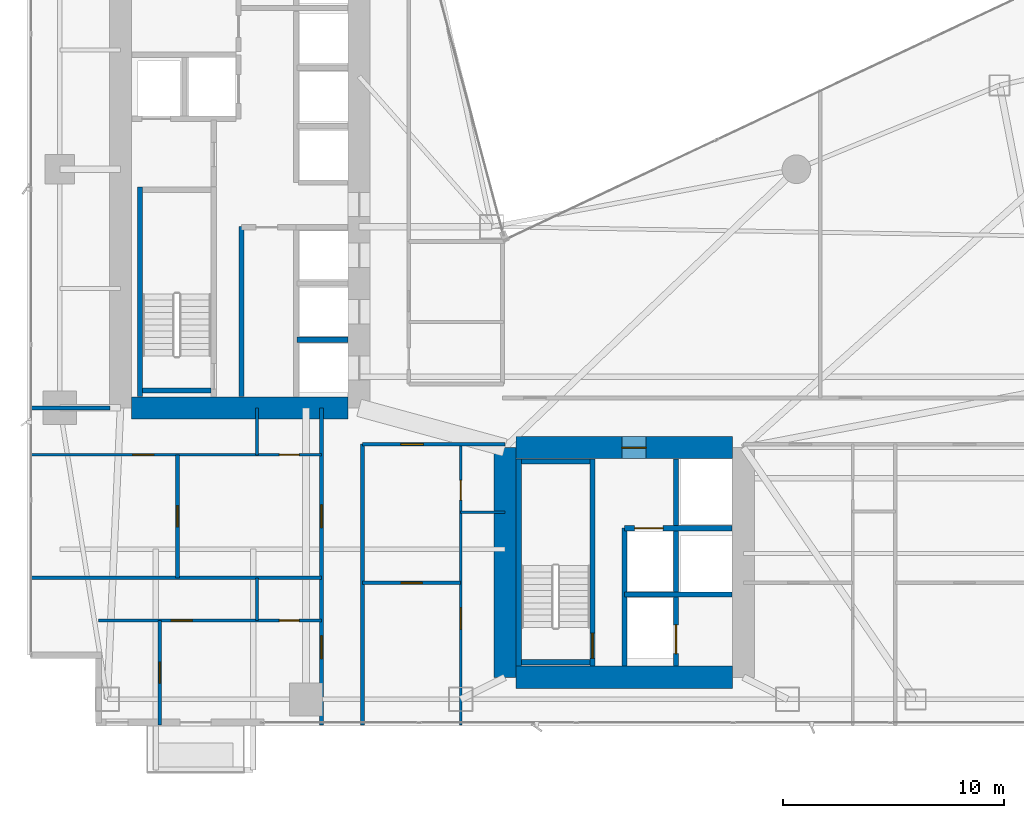
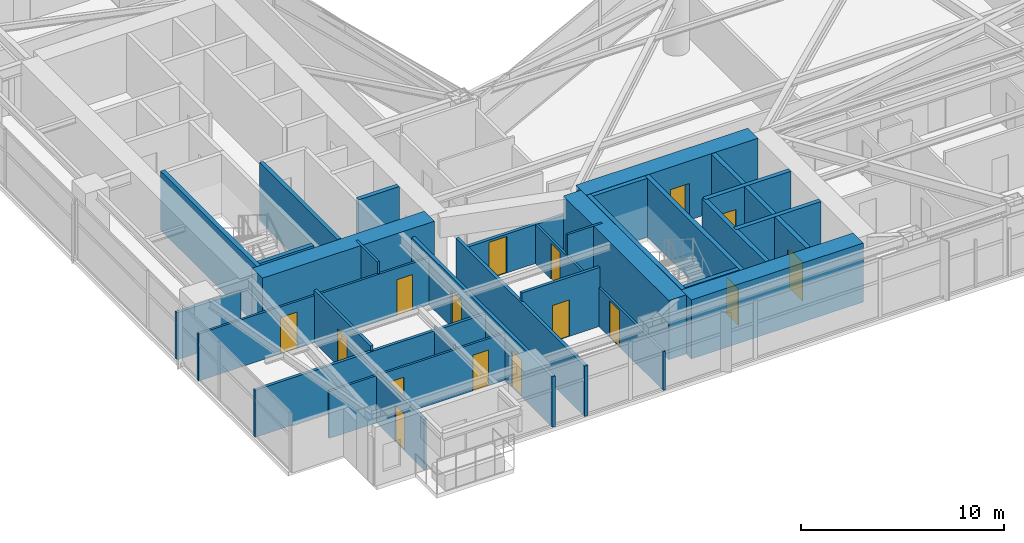
# One storey, part 22 of 30: 30 walls, 16 doors, 16 openings.
"""IFC4 building model written with IfcOpenShell, lengths in metres."""

from ifc_helpers import new_model, si_unit, direction, frame, frame_2d, origin, place, context, subcontext, project, spatial, rectangle, extrude, material, layer, layer_set, type_object, element, fill, save


model = new_model("IFC4")

# Units and contexts
model_context = context("Model", 3, precision=1e-05, world=origin(), true_north=direction((0.0, 1.0)))
body_context = subcontext(model_context, "Body", "Model", "MODEL_VIEW")
ifc_project = project(units=[si_unit("LENGTHUNIT", "METRE"), si_unit("AREAUNIT", "SQUARE_METRE"), si_unit("VOLUMEUNIT", "CUBIC_METRE"), si_unit("PLANEANGLEUNIT", "RADIAN"), si_unit("MASSUNIT", "GRAM", prefix="KILO")], contexts=[model_context])

# Site, building, storey
site_placement = place(None, origin())
site = spatial("IfcSite", under=ifc_project, at=site_placement, CompositionType="ELEMENT")
building_placement = place(site_placement, origin())
building = spatial("IfcBuilding", under=site, at=building_placement, Name="Calvorn Quay Hotel", CompositionType="ELEMENT")
storey_placement = place(building_placement, frame((0.0, 0.0, 30.800048828125)))
storey = spatial("IfcBuildingStorey", under=building, at=storey_placement, Name="L06", CompositionType="ELEMENT", Elevation=30.800048828125)

# Walls
ifc_material_1 = material(Name="Concrete C60", Category="concrete")
ifc_layer_1 = layer(ifc_material_1, 1.0)
ifc_layer_set_1 = layer_set([ifc_layer_1], Name="WL-CORE-1000")
wall_type_1 = type_object("IfcWallType", Name="WL-CORE-1000", PredefinedType="SHEAR", material=ifc_layer_set_1)
wall_1_placement = place(storey_placement, frame((4.699951171875, 16.800048828125, 0.0), z_axis=(0.0, 0.0, 1.0), x_axis=(1.0, 0.0, 0.0)))
element("IfcWall", 1, at=wall_1_placement, inside=storey, type_object=wall_type_1, Name="West Core Shear Wall S (L06)", PredefinedType="SHEAR", context=body_context, shape_type="SweptSolid", body=[
    extrude(rectangle(XDim=9.800048828125, YDim=1.0, at=frame_2d((4.89990234375, 0.0))), origin(), (0.0, 0.0, 1.0), 3.56005859375),
])
wall_2_placement = place(storey_placement, frame((21.60009765625, 4.60009765625, 0.0), z_axis=(0.0, 0.0, 1.0), x_axis=(0.0, 1.0, 0.0)))
element("IfcWall", 2, at=wall_2_placement, inside=storey, type_object=wall_type_1, Name="East Core Shear Wall W (L06)", PredefinedType="SHEAR", context=body_context, shape_type="SweptSolid", body=[
    extrude(rectangle(XDim=10.39990234375, YDim=1.0, at=frame_2d((5.199951171875, 0.0))), origin(), (0.0, 0.0, 1.0), 3.56005859375),
])

# Wall, opening, door
wall_3_placement = place(storey_placement, frame((22.10009765625, 15.0, 0.0), z_axis=(0.0, 0.0, 1.0), x_axis=(1.0, 0.0, 0.0)))
wall_3 = element("IfcWall", 3, at=wall_3_placement, inside=storey, type_object=wall_type_1, Name="East Core Shear Wall N (L06)", PredefinedType="SHEAR", context=body_context, shape_type="SweptSolid", body=[
    extrude(rectangle(XDim=9.7998046875, YDim=1.0, at=frame_2d((4.89990234375, 0.0))), origin(), (0.0, 0.0, 1.0), 3.56005859375),
])
opening_1_placement = place(wall_3_placement, frame((4.800048828125, 0.0, 0.0)))
opening_1 = element("IfcOpeningElement", 4, at=opening_1_placement, cuts=wall_3, Name="Opening D-L06-FLE", PredefinedType="OPENING", context=body_context, shape_type="SweptSolid", body=[
    extrude(rectangle(XDim=1.10009765625, YDim=2.199951171875, at=frame_2d((0.550048828125, 1.10009765625))), frame((0.0, 0.510009765625, 0.0), z_axis=(0.0, -1.0, 0.0), x_axis=(1.0, 0.0, 0.0)), (0.0, 0.0, 1.0), 1.02001953125),
])
ifc_material_2 = material(Name="Smoke-Sealed Steel Class A Fire Door", Category="steel")
door_type_1 = type_object("IfcDoorType", Name="DR-FFLOBBY-1100", OperationType="NOTDEFINED", PredefinedType="DOOR", material=ifc_material_2)
door_1_placement = place(opening_1_placement, origin())
door_1 = element("IfcDoor", 5, at=door_1_placement, inside=storey, type_object=door_type_1, Name="East Firefighting Lobby Fire Door (L06)", OperationType="SINGLE_SWING_RIGHT", OverallHeight=2.199951171875, OverallWidth=1.10009765625, PredefinedType="DOOR", context=body_context, shape_type="SweptSolid", body=[
    extrude(rectangle(XDim=1.10009765625, YDim=2.199951171875, at=frame_2d((0.550048828125, 1.10009765625))), frame((0.0, 0.02490234375, 0.0), z_axis=(0.0, -1.0, 0.0), x_axis=(1.0, 0.0, 0.0)), (0.0, 0.0, 1.0), 0.050048828125),
])
fill(opening_1, door_1)

# Walls
wall_4_placement = place(storey_placement, frame((22.10009765625, 4.60009765625, 0.0), z_axis=(0.0, 0.0, 1.0), x_axis=(1.0, 0.0, 0.0)))
element("IfcWall", 6, at=wall_4_placement, inside=storey, type_object=wall_type_1, Name="East Core Shear Wall S (L06)", PredefinedType="SHEAR", context=body_context, shape_type="SweptSolid", body=[
    extrude(rectangle(XDim=9.7998046875, YDim=1.0, at=frame_2d((4.89990234375, 0.0))), origin(), (0.0, 0.0, 1.0), 3.56005859375),
])
ifc_material_3 = material(Name="Acoustic Fireboard Steel-Stud Partition", Category="steel")
ifc_layer_2 = layer(ifc_material_3, 0.179931640625)
ifc_layer_set_2 = layer_set([ifc_layer_2], Name="WL-CORR-FIRE-180")
wall_type_2 = type_object("IfcWallType", Name="WL-CORR-FIRE-180", PredefinedType="PARTITIONING", material=ifc_layer_set_2)
wall_5_placement = place(storey_placement, frame((0.080078125, 16.800048828125, 0.0), z_axis=(0.0, 0.0, 1.0), x_axis=(1.0, 0.0, 0.0)))
element("IfcWall", 7, at=wall_5_placement, inside=storey, type_object=wall_type_2, Name="Partition Wall L06-WL-WBAY-S-WALL", PredefinedType="PARTITIONING", context=body_context, shape_type="SweptSolid", body=[
    extrude(rectangle(XDim=3.64990234375, YDim=0.179931640625, at=frame_2d((1.824951171875, 0.0))), origin(), (0.0, 0.0, 1.0), 2.83984375),
])

# Wall, openings, doors
wall_6_placement = place(storey_placement, frame((13.300048828125, 2.43994140625, 0.0), z_axis=(0.0, 0.0, 1.0), x_axis=(0.0, 1.0, 0.0)))
wall_6 = element("IfcWall", 8, at=wall_6_placement, inside=storey, type_object=wall_type_2, Name="Partition Wall L06-WL-CORR-SW-LEG-W", PredefinedType="PARTITIONING", context=body_context, shape_type="SweptSolid", body=[
    extrude(rectangle(XDim=14.360107421875, YDim=0.179931640625, at=frame_2d((7.18017578125, 0.0))), origin(), (0.0, 0.0, 1.0), 3.0400390625),
])
opening_2_placement = place(wall_6_placement, frame((3.010009765625, 0.0, 0.0)))
opening_2 = element("IfcOpeningElement", 9, at=opening_2_placement, cuts=wall_6, Name="Opening D-L06-U01", PredefinedType="OPENING", context=body_context, shape_type="SweptSolid", body=[
    extrude(rectangle(XDim=1.02001953125, YDim=2.199951171875, at=frame_2d((0.510009765625, 1.10009765625))), frame((0.0, 0.099853515625, 0.0), z_axis=(0.0, -1.0, 0.0), x_axis=(1.0, 0.0, 0.0)), (0.0, 0.0, 1.0), 0.199951171875),
])
opening_3_placement = place(wall_6_placement, frame((8.93994140625, 0.0, 0.0)))
opening_3 = element("IfcOpeningElement", 10, at=opening_3_placement, cuts=wall_6, Name="Opening D-L06-U02", PredefinedType="OPENING", context=body_context, shape_type="SweptSolid", body=[
    extrude(rectangle(XDim=1.02001953125, YDim=2.199951171875, at=frame_2d((0.510009765625, 1.10009765625))), frame((0.0, 0.099853515625, 0.0), z_axis=(0.0, -1.0, 0.0), x_axis=(1.0, 0.0, 0.0)), (0.0, 0.0, 1.0), 0.199951171875),
])
ifc_material_4 = material(Name="Solid-Core Walnut Veneer Hotel Fire Door")
door_type_2 = type_object("IfcDoorType", Name="DR-GUEST-ENTRY-1020", OperationType="NOTDEFINED", PredefinedType="DOOR", material=ifc_material_4)
door_2_placement = place(opening_2_placement, origin())
door_2 = element("IfcDoor", 11, at=door_2_placement, inside=storey, type_object=door_type_2, Name="South-West Unit Door U01 (L06)", OperationType="SINGLE_SWING_LEFT", OverallHeight=2.199951171875, OverallWidth=1.02001953125, PredefinedType="DOOR", context=body_context, shape_type="SweptSolid", body=[
    extrude(rectangle(XDim=1.02001953125, YDim=2.199951171875, at=frame_2d((0.510009765625, 1.10009765625))), frame((0.0, 0.02490234375, 0.0), z_axis=(0.0, -1.0, 0.0), x_axis=(1.0, 0.0, 0.0)), (0.0, 0.0, 1.0), 0.050048828125),
])
fill(opening_2, door_2)
door_3_placement = place(opening_3_placement, origin())
door_3 = element("IfcDoor", 12, at=door_3_placement, inside=storey, type_object=door_type_2, Name="South-West Unit Door U02 (L06)", OperationType="SINGLE_SWING_RIGHT", OverallHeight=2.199951171875, OverallWidth=1.02001953125, PredefinedType="DOOR", context=body_context, shape_type="SweptSolid", body=[
    extrude(rectangle(XDim=1.02001953125, YDim=2.199951171875, at=frame_2d((0.510009765625, 1.10009765625))), frame((0.0, 0.02490234375, 0.0), z_axis=(0.0, -1.0, 0.0), x_axis=(1.0, 0.0, 0.0)), (0.0, 0.0, 1.0), 0.050048828125),
])
fill(opening_3, door_3)

# Wall
wall_7_placement = place(storey_placement, frame((15.14990234375, 2.43994140625, 0.0), z_axis=(0.0, 0.0, 1.0), x_axis=(0.0, 1.0, 0.0)))
element("IfcWall", 13, at=wall_7_placement, inside=storey, type_object=wall_type_2, Name="Partition Wall L06-WL-CORR-SW-W", PredefinedType="PARTITIONING", context=body_context, shape_type="SweptSolid", body=[
    extrude(rectangle(XDim=12.7099609375, YDim=0.179931640625, at=frame_2d((6.35498046875, 0.0))), origin(), (0.0, 0.0, 1.0), 3.0400390625),
])

# Wall, opening, door
wall_8_placement = place(storey_placement, frame((15.14990234375, 15.14990234375, 0.0), z_axis=(0.0, 0.0, 1.0), x_axis=(1.0, 0.0, 0.0)))
wall_8 = element("IfcWall", 14, at=wall_8_placement, inside=storey, type_object=wall_type_2, Name="Partition Wall L06-WL-SC-CORR-S", PredefinedType="PARTITIONING", context=body_context, shape_type="SweptSolid", body=[
    extrude(rectangle(XDim=6.4501953125, YDim=0.179931640625, at=frame_2d((3.22509765625, 0.0))), origin(), (0.0, 0.0, 1.0), 2.33984375),
])
opening_4_placement = place(wall_8_placement, frame((1.739990234375, 0.0, 0.0)))
opening_4 = element("IfcOpeningElement", 15, at=opening_4_placement, cuts=wall_8, Name="Opening D-L06-U03", PredefinedType="OPENING", context=body_context, shape_type="SweptSolid", body=[
    extrude(rectangle(XDim=1.02001953125, YDim=2.199951171875, at=frame_2d((0.510009765625, 1.10009765625))), frame((0.0, 0.099853515625, 0.0), z_axis=(0.0, -1.0, 0.0), x_axis=(1.0, 0.0, 0.0)), (0.0, 0.0, 1.0), 0.199951171875),
])
door_4_placement = place(opening_4_placement, origin())
door_4 = element("IfcDoor", 16, at=door_4_placement, inside=storey, type_object=door_type_2, Name="Harbour Central Unit Door (L06)", OperationType="SINGLE_SWING_LEFT", OverallHeight=2.199951171875, OverallWidth=1.02001953125, PredefinedType="DOOR", context=body_context, shape_type="SweptSolid", body=[
    extrude(rectangle(XDim=1.02001953125, YDim=2.199951171875, at=frame_2d((0.510009765625, 1.10009765625))), frame((0.0, 0.02490234375, 0.0), z_axis=(0.0, -1.0, 0.0), x_axis=(1.0, 0.0, 0.0)), (0.0, 0.0, 1.0), 0.050048828125),
])
fill(opening_4, door_4)

# Wall
ifc_material_5 = material(Name="Moisture-Resistant Tile-Backed Partition")
ifc_layer_3 = layer(ifc_material_5, 0.125)
ifc_layer_set_3 = layer_set([ifc_layer_3], Name="WL-ENSUITE-125")
wall_type_3 = type_object("IfcWallType", Name="WL-ENSUITE-125", PredefinedType="PARTITIONING", material=ifc_layer_set_3)
wall_9_placement = place(storey_placement, frame((10.3798828125, 7.169921875, 0.0), z_axis=(0.0, 0.0, 1.0), x_axis=(0.0, 1.0, 0.0)))
element("IfcWall", 17, at=wall_9_placement, inside=storey, type_object=wall_type_3, Name="Partition Wall L06-WL-U01-BDV", PredefinedType="PARTITIONING", context=body_context, shape_type="SweptSolid", body=[
    extrude(rectangle(XDim=1.93017578125, YDim=0.125, at=frame_2d((0.965087890625, 0.0))), origin(), (0.0, 0.0, 1.0), 3.08984375),
])

# Wall, openings, doors
wall_10_placement = place(storey_placement, frame((3.199951171875, 7.169921875, 0.0), z_axis=(0.0, 0.0, 1.0), x_axis=(1.0, 0.0, 0.0)))
wall_10 = element("IfcWall", 18, at=wall_10_placement, inside=storey, type_object=wall_type_3, Name="Partition Wall L06-WL-U01-BH", PredefinedType="PARTITIONING", context=body_context, shape_type="SweptSolid", body=[
    extrude(rectangle(XDim=10.10009765625, YDim=0.125, at=frame_2d((5.050048828125, 0.0))), origin(), (0.0, 0.0, 1.0), 2.83984375),
])
opening_5_placement = place(wall_10_placement, frame((3.2900390625, 0.0, 0.0)))
opening_5 = element("IfcOpeningElement", 19, at=opening_5_placement, cuts=wall_10, Name="Opening D-L06-S01", PredefinedType="OPENING", context=body_context, shape_type="SweptSolid", body=[
    extrude(rectangle(XDim=0.9599609375, YDim=2.199951171875, at=frame_2d((0.47998046875, 1.10009765625))), frame((0.0, 0.072509765625, 0.0), z_axis=(0.0, -1.0, 0.0), x_axis=(1.0, 0.0, 0.0)), (0.0, 0.0, 1.0), 0.14501953125),
])
opening_6_placement = place(wall_10_placement, frame((8.18994140625, 0.0, 0.0)))
opening_6 = element("IfcOpeningElement", 20, at=opening_6_placement, cuts=wall_10, Name="Opening D-L06-E01", PredefinedType="OPENING", context=body_context, shape_type="SweptSolid", body=[
    extrude(rectangle(XDim=0.89990234375, YDim=2.14990234375, at=frame_2d((0.449951171875, 1.074951171875))), frame((0.0, 0.072509765625, 0.0), z_axis=(0.0, -1.0, 0.0), x_axis=(1.0, 0.0, 0.0)), (0.0, 0.0, 1.0), 0.14501953125),
])
ifc_material_6 = material(Name="Moisture-Sealed Timber En-Suite Door", Category="wood")
door_type_3 = type_object("IfcDoorType", Name="DR-ENSUITE-900", OperationType="NOTDEFINED", PredefinedType="DOOR", material=ifc_material_6)
door_5_placement = place(opening_6_placement, origin())
door_5 = element("IfcDoor", 21, at=door_5_placement, inside=storey, type_object=door_type_3, Name="En-Suite Door 01", OperationType="SINGLE_SWING_RIGHT", OverallHeight=2.14990234375, OverallWidth=0.89990234375, PredefinedType="DOOR", context=body_context, shape_type="SweptSolid", body=[
    extrude(rectangle(XDim=0.89990234375, YDim=2.14990234375, at=frame_2d((0.449951171875, 1.074951171875))), frame((0.0, 0.02490234375, 0.0), z_axis=(0.0, -1.0, 0.0), x_axis=(1.0, 0.0, 0.0)), (0.0, 0.0, 1.0), 0.050048828125),
])
fill(opening_6, door_5)
ifc_material_7 = material(Name="Solid Timber Internal Suite Door", Category="wood")
door_type_4 = type_object("IfcDoorType", Name="DR-SUITE-INT-960", OperationType="NOTDEFINED", PredefinedType="DOOR", material=ifc_material_7)
door_6_placement = place(opening_5_placement, origin())
door_6 = element("IfcDoor", 22, at=door_6_placement, inside=storey, type_object=door_type_4, Name="Executive Study Door 01", OperationType="SINGLE_SWING_LEFT", OverallHeight=2.199951171875, OverallWidth=0.9599609375, PredefinedType="DOOR", context=body_context, shape_type="SweptSolid", body=[
    extrude(rectangle(XDim=0.9599609375, YDim=2.199951171875, at=frame_2d((0.47998046875, 1.10009765625))), frame((0.0, 0.02490234375, 0.0), z_axis=(0.0, -1.0, 0.0), x_axis=(1.0, 0.0, 0.0)), (0.0, 0.0, 1.0), 0.050048828125),
])
fill(opening_5, door_6)

# Wall
wall_11_placement = place(storey_placement, frame((10.3798828125, 14.669921875, 0.0), z_axis=(0.0, 0.0, 1.0), x_axis=(0.0, 1.0, 0.0)))
element("IfcWall", 23, at=wall_11_placement, inside=storey, type_object=wall_type_3, Name="Partition Wall L06-WL-U02-BDV", PredefinedType="PARTITIONING", context=body_context, shape_type="SweptSolid", body=[
    extrude(rectangle(XDim=2.130126953125, YDim=0.125, at=frame_2d((1.06494140625, 0.0))), origin(), (0.0, 0.0, 1.0), 3.56005859375),
])

# Wall, openings, doors
wall_12_placement = place(storey_placement, frame((0.080078125, 14.669921875, 0.0), z_axis=(0.0, 0.0, 1.0), x_axis=(1.0, 0.0, 0.0)))
wall_12 = element("IfcWall", 24, at=wall_12_placement, inside=storey, type_object=wall_type_3, Name="Partition Wall L06-WL-U02-BH", PredefinedType="PARTITIONING", context=body_context, shape_type="SweptSolid", body=[
    extrude(rectangle(XDim=13.219970703125, YDim=0.125, at=frame_2d((6.60986328125, 0.0))), origin(), (0.0, 0.0, 1.0), 2.83984375),
])
opening_7_placement = place(wall_12_placement, frame((4.669921875, 0.0, 0.0)))
opening_7 = element("IfcOpeningElement", 25, at=opening_7_placement, cuts=wall_12, Name="Opening D-L06-S02", PredefinedType="OPENING", context=body_context, shape_type="SweptSolid", body=[
    extrude(rectangle(XDim=0.9599609375, YDim=2.199951171875, at=frame_2d((0.47998046875, 1.10009765625))), frame((0.0, 0.072509765625, 0.0), z_axis=(0.0, -1.0, 0.0), x_axis=(1.0, 0.0, 0.0)), (0.0, 0.0, 1.0), 0.14501953125),
])
opening_8_placement = place(wall_12_placement, frame((11.31005859375, 0.0, 0.0)))
opening_8 = element("IfcOpeningElement", 26, at=opening_8_placement, cuts=wall_12, Name="Opening D-L06-E02", PredefinedType="OPENING", context=body_context, shape_type="SweptSolid", body=[
    extrude(rectangle(XDim=0.89990234375, YDim=2.14990234375, at=frame_2d((0.449951171875, 1.074951171875))), frame((0.0, 0.072509765625, 0.0), z_axis=(0.0, -1.0, 0.0), x_axis=(1.0, 0.0, 0.0)), (0.0, 0.0, 1.0), 0.14501953125),
])
door_7_placement = place(opening_8_placement, origin())
door_7 = element("IfcDoor", 27, at=door_7_placement, inside=storey, type_object=door_type_3, Name="En-Suite Door 02", OperationType="SINGLE_SWING_RIGHT", OverallHeight=2.14990234375, OverallWidth=0.89990234375, PredefinedType="DOOR", context=body_context, shape_type="SweptSolid", body=[
    extrude(rectangle(XDim=0.89990234375, YDim=2.14990234375, at=frame_2d((0.449951171875, 1.074951171875))), frame((0.0, 0.02490234375, 0.0), z_axis=(0.0, -1.0, 0.0), x_axis=(1.0, 0.0, 0.0)), (0.0, 0.0, 1.0), 0.050048828125),
])
fill(opening_8, door_7)
door_8_placement = place(opening_7_placement, origin())
door_8 = element("IfcDoor", 28, at=door_8_placement, inside=storey, type_object=door_type_4, Name="Executive Study Door 02", OperationType="SINGLE_SWING_LEFT", OverallHeight=2.199951171875, OverallWidth=0.9599609375, PredefinedType="DOOR", context=body_context, shape_type="SweptSolid", body=[
    extrude(rectangle(XDim=0.9599609375, YDim=2.199951171875, at=frame_2d((0.47998046875, 1.10009765625))), frame((0.0, 0.02490234375, 0.0), z_axis=(0.0, -1.0, 0.0), x_axis=(1.0, 0.0, 0.0)), (0.0, 0.0, 1.0), 0.050048828125),
])
fill(opening_7, door_8)

# Wall
wall_13_placement = place(storey_placement, frame((19.60009765625, 12.070068359375, 0.0), z_axis=(0.0, 0.0, 1.0), x_axis=(1.0, 0.0, 0.0)))
element("IfcWall", 29, at=wall_13_placement, inside=storey, type_object=wall_type_3, Name="Partition Wall L06-WL-U03-BDV", PredefinedType="PARTITIONING", context=body_context, shape_type="SweptSolid", body=[
    extrude(rectangle(XDim=2.0, YDim=0.125, at=frame_2d((1.0, 0.0))), origin(), (0.0, 0.0, 1.0), 3.56005859375),
])

# Wall, openings, doors
wall_14_placement = place(storey_placement, frame((19.60009765625, 2.43994140625, 0.0), z_axis=(0.0, 0.0, 1.0), x_axis=(0.0, 1.0, 0.0)))
wall_14 = element("IfcWall", 30, at=wall_14_placement, inside=storey, type_object=wall_type_3, Name="Partition Wall L06-WL-U03-BV", PredefinedType="PARTITIONING", context=body_context, shape_type="SweptSolid", body=[
    extrude(rectangle(XDim=12.7099609375, YDim=0.125, at=frame_2d((6.35498046875, 0.0))), origin(), (0.0, 0.0, 1.0), 2.33984375),
])
opening_9_placement = place(wall_14_placement, frame((4.340087890625, 0.0, 0.0)))
opening_9 = element("IfcOpeningElement", 31, at=opening_9_placement, cuts=wall_14, Name="Opening D-L06-S03", PredefinedType="OPENING", context=body_context, shape_type="SweptSolid", body=[
    extrude(rectangle(XDim=0.9599609375, YDim=2.199951171875, at=frame_2d((0.47998046875, 1.10009765625))), frame((0.0, 0.072509765625, 0.0), z_axis=(0.0, -1.0, 0.0), x_axis=(1.0, 0.0, 0.0)), (0.0, 0.0, 1.0), 0.14501953125),
])
opening_10_placement = place(wall_14_placement, frame((10.179931640625, 0.0, 0.0)))
opening_10 = element("IfcOpeningElement", 32, at=opening_10_placement, cuts=wall_14, Name="Opening D-L06-E03", PredefinedType="OPENING", context=body_context, shape_type="SweptSolid", body=[
    extrude(rectangle(XDim=0.89990234375, YDim=2.14990234375, at=frame_2d((0.449951171875, 1.074951171875))), frame((0.0, 0.072509765625, 0.0), z_axis=(0.0, -1.0, 0.0), x_axis=(1.0, 0.0, 0.0)), (0.0, 0.0, 1.0), 0.14501953125),
])
door_9_placement = place(opening_10_placement, origin())
door_9 = element("IfcDoor", 33, at=door_9_placement, inside=storey, type_object=door_type_3, Name="En-Suite Door 03", OperationType="SINGLE_SWING_RIGHT", OverallHeight=2.14990234375, OverallWidth=0.89990234375, PredefinedType="DOOR", context=body_context, shape_type="SweptSolid", body=[
    extrude(rectangle(XDim=0.89990234375, YDim=2.14990234375, at=frame_2d((0.449951171875, 1.074951171875))), frame((0.0, 0.02490234375, 0.0), z_axis=(0.0, -1.0, 0.0), x_axis=(1.0, 0.0, 0.0)), (0.0, 0.0, 1.0), 0.050048828125),
])
fill(opening_10, door_9)
door_10_placement = place(opening_9_placement, origin())
door_10 = element("IfcDoor", 34, at=door_10_placement, inside=storey, type_object=door_type_4, Name="Executive Study Door 03", OperationType="SINGLE_SWING_LEFT", OverallHeight=2.199951171875, OverallWidth=0.9599609375, PredefinedType="DOOR", context=body_context, shape_type="SweptSolid", body=[
    extrude(rectangle(XDim=0.9599609375, YDim=2.199951171875, at=frame_2d((0.47998046875, 1.10009765625))), frame((0.0, 0.02490234375, 0.0), z_axis=(0.0, -1.0, 0.0), x_axis=(1.0, 0.0, 0.0)), (0.0, 0.0, 1.0), 0.050048828125),
])
fill(opening_9, door_10)

# Wall, opening, door
ifc_material_8 = material(Name="Double-Stud Acoustic Gypsum Partition")
ifc_layer_4 = layer(ifc_material_8, 0.159912109375)
ifc_layer_set_4 = layer_set([ifc_layer_4], Name="WL-INTERSUITE-160")
wall_type_4 = type_object("IfcWallType", Name="WL-INTERSUITE-160", PredefinedType="PARTITIONING", material=ifc_layer_set_4)
wall_15_placement = place(storey_placement, frame((5.97998046875, 2.43994140625, 0.0), z_axis=(0.0, 0.0, 1.0), x_axis=(0.0, 1.0, 0.0)))
wall_15 = element("IfcWall", 35, at=wall_15_placement, inside=storey, type_object=wall_type_4, Name="Partition Wall L06-WL-U01-MSP", PredefinedType="PARTITIONING", context=body_context, shape_type="SweptSolid", body=[
    extrude(rectangle(XDim=4.72998046875, YDim=0.159912109375, at=frame_2d((2.364990234375, 0.0))), origin(), (0.0, 0.0, 1.0), 3.0400390625),
])
opening_11_placement = place(wall_15_placement, frame((1.889892578125, 0.0, 0.0)))
opening_11 = element("IfcOpeningElement", 36, at=opening_11_placement, cuts=wall_15, Name="Opening D-L06-M01", PredefinedType="OPENING", context=body_context, shape_type="SweptSolid", body=[
    extrude(rectangle(XDim=0.9599609375, YDim=2.199951171875, at=frame_2d((0.47998046875, 1.10009765625))), frame((0.0, 0.08984375, 0.0), z_axis=(0.0, -1.0, 0.0), x_axis=(1.0, 0.0, 0.0)), (0.0, 0.0, 1.0), 0.179931640625),
])
door_11_placement = place(opening_11_placement, origin())
door_11 = element("IfcDoor", 37, at=door_11_placement, inside=storey, type_object=door_type_4, Name="Suite Bedroom Door 01", OperationType="SINGLE_SWING_LEFT", OverallHeight=2.199951171875, OverallWidth=0.9599609375, PredefinedType="DOOR", context=body_context, shape_type="SweptSolid", body=[
    extrude(rectangle(XDim=0.9599609375, YDim=2.199951171875, at=frame_2d((0.47998046875, 1.10009765625))), frame((0.0, 0.02490234375, 0.0), z_axis=(0.0, -1.0, 0.0), x_axis=(1.0, 0.0, 0.0)), (0.0, 0.0, 1.0), 0.050048828125),
])
fill(opening_11, door_11)

wall_16_placement = place(storey_placement, frame((6.780029296875, 9.10009765625, 0.0), z_axis=(0.0, 0.0, 1.0), x_axis=(0.0, 1.0, 0.0)))
wall_16 = element("IfcWall", 38, at=wall_16_placement, inside=storey, type_object=wall_type_4, Name="Partition Wall L06-WL-U02-MSP", PredefinedType="PARTITIONING", context=body_context, shape_type="SweptSolid", body=[
    extrude(rectangle(XDim=5.56982421875, YDim=0.159912109375, at=frame_2d((2.784912109375, 0.0))), origin(), (0.0, 0.0, 1.0), 3.139892578125),
])
opening_12_placement = place(wall_16_placement, frame((2.31005859375, 0.0, 0.0)))
opening_12 = element("IfcOpeningElement", 39, at=opening_12_placement, cuts=wall_16, Name="Opening D-L06-M02", PredefinedType="OPENING", context=body_context, shape_type="SweptSolid", body=[
    extrude(rectangle(XDim=0.9599609375, YDim=2.199951171875, at=frame_2d((0.47998046875, 1.10009765625))), frame((0.0, 0.08984375, 0.0), z_axis=(0.0, -1.0, 0.0), x_axis=(1.0, 0.0, 0.0)), (0.0, 0.0, 1.0), 0.179931640625),
])
door_12_placement = place(opening_12_placement, origin())
door_12 = element("IfcDoor", 40, at=door_12_placement, inside=storey, type_object=door_type_4, Name="Suite Bedroom Door 02", OperationType="SINGLE_SWING_LEFT", OverallHeight=2.199951171875, OverallWidth=0.9599609375, PredefinedType="DOOR", context=body_context, shape_type="SweptSolid", body=[
    extrude(rectangle(XDim=0.9599609375, YDim=2.199951171875, at=frame_2d((0.47998046875, 1.10009765625))), frame((0.0, 0.02490234375, 0.0), z_axis=(0.0, -1.0, 0.0), x_axis=(1.0, 0.0, 0.0)), (0.0, 0.0, 1.0), 0.050048828125),
])
fill(opening_12, door_12)

# Wall
wall_17_placement = place(storey_placement, frame((0.080078125, 9.10009765625, 0.0), z_axis=(0.0, 0.0, 1.0), x_axis=(1.0, 0.0, 0.0)))
element("IfcWall", 41, at=wall_17_placement, inside=storey, type_object=wall_type_4, Name="Partition Wall L06-WL-SW-DIV-1", PredefinedType="PARTITIONING", context=body_context, shape_type="SweptSolid", body=[
    extrude(rectangle(XDim=13.219970703125, YDim=0.159912109375, at=frame_2d((6.60986328125, 0.0))), origin(), (0.0, 0.0, 1.0), 2.83984375),
])

# Wall, opening, door
wall_18_placement = place(storey_placement, frame((15.14990234375, 8.8701171875, 0.0), z_axis=(0.0, 0.0, 1.0), x_axis=(1.0, 0.0, 0.0)))
wall_18 = element("IfcWall", 42, at=wall_18_placement, inside=storey, type_object=wall_type_4, Name="Partition Wall L06-WL-U03-MSP", PredefinedType="PARTITIONING", context=body_context, shape_type="SweptSolid", body=[
    extrude(rectangle(XDim=4.4501953125, YDim=0.159912109375, at=frame_2d((2.22509765625, 0.0))), origin(), (0.0, 0.0, 1.0), 3.56005859375),
])
opening_13_placement = place(wall_18_placement, frame((1.75, 0.0, 0.0)))
opening_13 = element("IfcOpeningElement", 43, at=opening_13_placement, cuts=wall_18, Name="Opening D-L06-M03", PredefinedType="OPENING", context=body_context, shape_type="SweptSolid", body=[
    extrude(rectangle(XDim=0.9599609375, YDim=2.199951171875, at=frame_2d((0.47998046875, 1.10009765625))), frame((0.0, 0.08984375, 0.0), z_axis=(0.0, -1.0, 0.0), x_axis=(1.0, 0.0, 0.0)), (0.0, 0.0, 1.0), 0.179931640625),
])
door_13_placement = place(opening_13_placement, origin())
door_13 = element("IfcDoor", 44, at=door_13_placement, inside=storey, type_object=door_type_4, Name="Suite Bedroom Door 03", OperationType="SINGLE_SWING_LEFT", OverallHeight=2.199951171875, OverallWidth=0.9599609375, PredefinedType="DOOR", context=body_context, shape_type="SweptSolid", body=[
    extrude(rectangle(XDim=0.9599609375, YDim=2.199951171875, at=frame_2d((0.47998046875, 1.10009765625))), frame((0.0, 0.02490234375, 0.0), z_axis=(0.0, -1.0, 0.0), x_axis=(1.0, 0.0, 0.0)), (0.0, 0.0, 1.0), 0.050048828125),
])
fill(opening_13, door_13)

# Walls
ifc_material_9 = material(Name="Autoclaved Aerated Masonry Block", Category="masonry")
ifc_layer_5 = layer(ifc_material_9, 0.219970703125)
ifc_layer_set_5 = layer_set([ifc_layer_5], Name="WL-LOBBY-FIRE-220")
wall_type_5 = type_object("IfcWallType", Name="WL-LOBBY-FIRE-220", PredefinedType="SOLIDWALL", material=ifc_layer_set_5)
wall_19_placement = place(storey_placement, frame((9.679931640625, 17.320068359375, 0.0), z_axis=(0.0, 0.0, 1.0), x_axis=(0.0, 1.0, 0.0)))
element("IfcWall", 45, at=wall_19_placement, inside=storey, type_object=wall_type_5, Name="Partition Wall L06-WL-CWW-STW-HALL-E", PredefinedType="SOLIDWALL", context=body_context, shape_type="SweptSolid", body=[
    extrude(rectangle(XDim=7.679931640625, YDim=0.219970703125, at=frame_2d((3.83984375, 0.0))), origin(), (0.0, 0.0, 1.0), 3.56005859375),
])
ifc_material_10 = material(Name="Concrete C40", Category="concrete")
ifc_layer_6 = layer(ifc_material_10, 0.239990234375)
ifc_layer_set_6 = layer_set([ifc_layer_6], Name="WL-SHAFT-240")
wall_type_6 = type_object("IfcWallType", Name="WL-SHAFT-240", PredefinedType="SOLIDWALL", material=ifc_layer_set_6)
wall_20_placement = place(storey_placement, frame((5.080078125, 17.300048828125, 0.0), z_axis=(0.0, 0.0, 1.0), x_axis=(0.0, 1.0, 0.0)))
element("IfcWall", 46, at=wall_20_placement, inside=storey, type_object=wall_type_6, Name="Stair STW Shaft Wall W (L06)", PredefinedType="SOLIDWALL", context=body_context, shape_type="SweptSolid", body=[
    extrude(rectangle(XDim=9.489990234375, YDim=0.239990234375, at=frame_2d((4.7451171875, 0.0))), origin(), (0.0, 0.0, 1.0), 3.56005859375),
])
wall_21_placement = place(storey_placement, frame((5.199951171875, 17.580078125, 0.0), z_axis=(0.0, 0.0, 1.0), x_axis=(1.0, 0.0, 0.0)))
element("IfcWall", 47, at=wall_21_placement, inside=storey, type_object=wall_type_6, Name="Stair STW Shaft Wall S (L06)", PredefinedType="SOLIDWALL", context=body_context, shape_type="SweptSolid", body=[
    extrude(rectangle(XDim=3.10009765625, YDim=0.239990234375, at=frame_2d((1.550048828125, 0.0))), origin(), (0.0, 0.0, 1.0), 3.56005859375),
])
wall_22_placement = place(storey_placement, frame((22.22998046875, 5.10009765625, 0.0), z_axis=(0.0, 0.0, 1.0), x_axis=(0.0, 1.0, 0.0)))
element("IfcWall", 48, at=wall_22_placement, inside=storey, type_object=wall_type_6, Name="Stair STE Shaft Wall W (L06)", PredefinedType="SOLIDWALL", context=body_context, shape_type="SweptSolid", body=[
    extrude(rectangle(XDim=9.389892578125, YDim=0.239990234375, at=frame_2d((4.69482421875, 0.0))), origin(), (0.0, 0.0, 1.0), 3.56005859375),
])

# Wall, opening, door
wall_23_placement = place(storey_placement, frame((25.570068359375, 5.10009765625, 0.0), z_axis=(0.0, 0.0, 1.0), x_axis=(0.0, 1.0, 0.0)))
wall_23 = element("IfcWall", 49, at=wall_23_placement, inside=storey, type_object=wall_type_6, Name="Stair STE Shaft Wall E (L06)", PredefinedType="SOLIDWALL", context=body_context, shape_type="SweptSolid", body=[
    extrude(rectangle(XDim=9.389892578125, YDim=0.239990234375, at=frame_2d((4.69482421875, 0.0))), origin(), (0.0, 0.0, 1.0), 3.56005859375),
])
opening_14_placement = place(wall_23_placement, frame((0.35009765625, 0.0, 0.0)))
opening_14 = element("IfcOpeningElement", 50, at=opening_14_placement, cuts=wall_23, Name="Opening D-L06-STE", PredefinedType="OPENING", context=body_context, shape_type="SweptSolid", body=[
    extrude(rectangle(XDim=1.14990234375, YDim=2.199951171875, at=frame_2d((0.574951171875, 1.10009765625))), frame((0.0, 0.1298828125, 0.0), z_axis=(0.0, -1.0, 0.0), x_axis=(1.0, 0.0, 0.0)), (0.0, 0.0, 1.0), 0.260009765625),
])
ifc_material_11 = material(Name="Galvanised Steel Class A Fire Door", Category="steel")
door_type_5 = type_object("IfcDoorType", Name="DR-STAIR-SMOKE-1150", OperationType="NOTDEFINED", PredefinedType="DOOR", material=ifc_material_11)
door_14_placement = place(opening_14_placement, origin())
door_14 = element("IfcDoor", 51, at=door_14_placement, inside=storey, type_object=door_type_5, Name="Stair ST-E Fire Door (L06)", OperationType="SINGLE_SWING_RIGHT", OverallHeight=2.199951171875, OverallWidth=1.14990234375, PredefinedType="DOOR", context=body_context, shape_type="SweptSolid", body=[
    extrude(rectangle(XDim=1.14990234375, YDim=2.199951171875, at=frame_2d((0.574951171875, 1.10009765625))), frame((0.0, 0.02490234375, 0.0), z_axis=(0.0, -1.0, 0.0), x_axis=(1.0, 0.0, 0.0)), (0.0, 0.0, 1.0), 0.050048828125),
])
fill(opening_14, door_14)

# Walls
for number, where, z_axis, x_axis, name in (
    (52, (22.35009765625, 5.280029296875, 0.0), (0.0, 0.0, 1.0), (1.0, 0.0, 0.0), "Stair STE Shaft Wall S (L06)"),
    (53, (22.35009765625, 14.3701171875, 0.0), (0.0, 0.0, 1.0), (1.0, 0.0, 0.0), "Stair STE Shaft Wall N (L06)"),
):
    element("IfcWall", number, at=place(storey_placement, frame(where, z_axis=z_axis, x_axis=x_axis)), inside=storey, type_object=wall_type_6, Name=name, PredefinedType="SOLIDWALL", context=body_context, shape_type="SweptSolid", body=[
        extrude(rectangle(XDim=3.099853515625, YDim=0.239990234375, at=frame_2d((1.5498046875, 0.0))), origin(), (0.0, 0.0, 1.0), 3.56005859375),
    ])
wall_24_placement = place(storey_placement, frame((12.179931640625, 19.875, 0.0), z_axis=(0.0, 0.0, 1.0), x_axis=(1.0, 0.0, 0.0)))
element("IfcWall", 54, at=wall_24_placement, inside=storey, type_object=wall_type_6, Name="Lift Hoistway Divider Wall PLL12 (L06)", PredefinedType="SOLIDWALL", context=body_context, shape_type="SweptSolid", body=[
    extrude(rectangle(XDim=2.320068359375, YDim=0.239990234375, at=frame_2d((1.16015625, 0.0))), origin(), (0.0, 0.0, 1.0), 3.56005859375),
])
wall_25_placement = place(storey_placement, frame((27.02001953125, 5.1201171875, 0.0), z_axis=(0.0, 0.0, 1.0), x_axis=(0.0, 1.0, 0.0)))
element("IfcWall", 55, at=wall_25_placement, inside=storey, type_object=wall_type_6, Name="Partition Wall L06-WL-CWE-SH-W", PredefinedType="SOLIDWALL", context=body_context, shape_type="SweptSolid", body=[
    extrude(rectangle(XDim=6.22998046875, YDim=0.239990234375, at=frame_2d((3.114990234375, 0.0))), origin(), (0.0, 0.0, 1.0), 3.56005859375),
])

# Wall, opening, door
wall_26_placement = place(storey_placement, frame((27.02001953125, 11.35009765625, 0.0), z_axis=(0.0, 0.0, 1.0), x_axis=(1.0, 0.0, 0.0)))
wall_26 = element("IfcWall", 56, at=wall_26_placement, inside=storey, type_object=wall_type_6, Name="Partition Wall L06-WL-CWE-FFL-S", PredefinedType="SOLIDWALL", context=body_context, shape_type="SweptSolid", body=[
    extrude(rectangle(XDim=4.85986328125, YDim=0.239990234375, at=frame_2d((2.429931640625, 0.0))), origin(), (0.0, 0.0, 1.0), 3.56005859375),
])
opening_15_placement = place(wall_26_placement, frame((0.449951171875, 0.0, 0.0)))
opening_15 = element("IfcOpeningElement", 57, at=opening_15_placement, cuts=wall_26, Name="Opening LD-L06-FLE1", PredefinedType="OPENING", context=body_context, shape_type="SweptSolid", body=[
    extrude(rectangle(XDim=1.300048828125, YDim=2.35009765625, at=frame_2d((0.64990234375, 1.175048828125))), frame((0.0, 0.1298828125, 0.0), z_axis=(0.0, -1.0, 0.0), x_axis=(1.0, 0.0, 0.0)), (0.0, 0.0, 1.0), 0.260009765625),
])
ifc_material_12 = material(Name="Champagne-Bronze Sliding Express Lift Landing Door")
door_type_6 = type_object("IfcDoorType", Name="DR-LIFT-SHUTTLE-1300", OperationType="NOTDEFINED", PredefinedType="DOOR", material=ifc_material_12)
door_15_placement = place(opening_15_placement, origin())
door_15 = element("IfcDoor", 58, at=door_15_placement, inside=storey, type_object=door_type_6, Name="Firefighting Lift FL-E1 Landing Door (L06)", OperationType="DOUBLE_DOOR_SLIDING", OverallHeight=2.35009765625, OverallWidth=1.300048828125, PredefinedType="DOOR", context=body_context, shape_type="SweptSolid", body=[
    extrude(rectangle(XDim=1.300048828125, YDim=2.35009765625, at=frame_2d((0.64990234375, 1.175048828125))), frame((0.0, 0.02490234375, 0.0), z_axis=(0.0, -1.0, 0.0), x_axis=(1.0, 0.0, 0.0)), (0.0, 0.0, 1.0), 0.050048828125),
])
fill(opening_15, door_15)

# Wall
wall_27_placement = place(storey_placement, frame((27.02001953125, 8.35009765625, 0.0), z_axis=(0.0, 0.0, 1.0), x_axis=(1.0, 0.0, 0.0)))
element("IfcWall", 59, at=wall_27_placement, inside=storey, type_object=wall_type_6, Name="Partition Wall L06-WL-CWE-SL-N", PredefinedType="SOLIDWALL", context=body_context, shape_type="SweptSolid", body=[
    extrude(rectangle(XDim=4.85986328125, YDim=0.239990234375, at=frame_2d((2.429931640625, 0.0))), origin(), (0.0, 0.0, 1.0), 3.56005859375),
])

# Wall, opening, door
wall_28_placement = place(storey_placement, frame((29.35009765625, 5.1201171875, 0.0), z_axis=(0.0, 0.0, 1.0), x_axis=(0.0, 1.0, 0.0)))
wall_28 = element("IfcWall", 60, at=wall_28_placement, inside=storey, type_object=wall_type_6, Name="Partition Wall L06-WL-CWE-OB-W", PredefinedType="SOLIDWALL", context=body_context, shape_type="SweptSolid", body=[
    extrude(rectangle(XDim=9.35986328125, YDim=0.239990234375, at=frame_2d((4.679931640625, 0.0))), origin(), (0.0, 0.0, 1.0), 3.56005859375),
])
opening_16_placement = place(wall_28_placement, frame((0.550048828125, 0.0, 0.0)))
opening_16 = element("IfcOpeningElement", 61, at=opening_16_placement, cuts=wall_28, Name="Opening LD-L06-SLEI", PredefinedType="OPENING", context=body_context, shape_type="SweptSolid", body=[
    extrude(rectangle(XDim=1.300048828125, YDim=2.35009765625, at=frame_2d((0.64990234375, 1.175048828125))), frame((0.0, 0.1298828125, 0.0), z_axis=(0.0, -1.0, 0.0), x_axis=(1.0, 0.0, 0.0)), (0.0, 0.0, 1.0), 0.260009765625),
])
door_16_placement = place(opening_16_placement, origin())
door_16 = element("IfcDoor", 62, at=door_16_placement, inside=storey, type_object=door_type_6, Name="Service Lift SL-E1 Landing Door (L06)", OperationType="DOUBLE_DOOR_SLIDING", OverallHeight=2.35009765625, OverallWidth=1.300048828125, PredefinedType="DOOR", context=body_context, shape_type="SweptSolid", body=[
    extrude(rectangle(XDim=1.300048828125, YDim=2.35009765625, at=frame_2d((0.64990234375, 1.175048828125))), frame((0.0, 0.02490234375, 0.0), z_axis=(0.0, -1.0, 0.0), x_axis=(1.0, 0.0, 0.0)), (0.0, 0.0, 1.0), 0.050048828125),
])
fill(opening_16, door_16)

save(model, "model.ifc")
